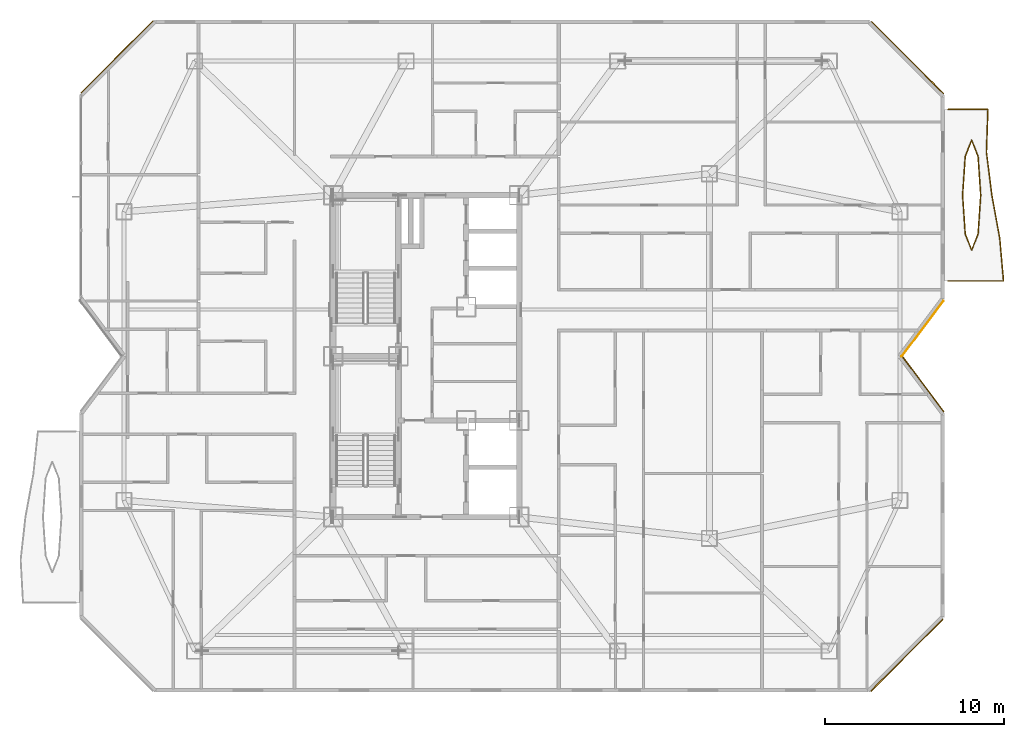
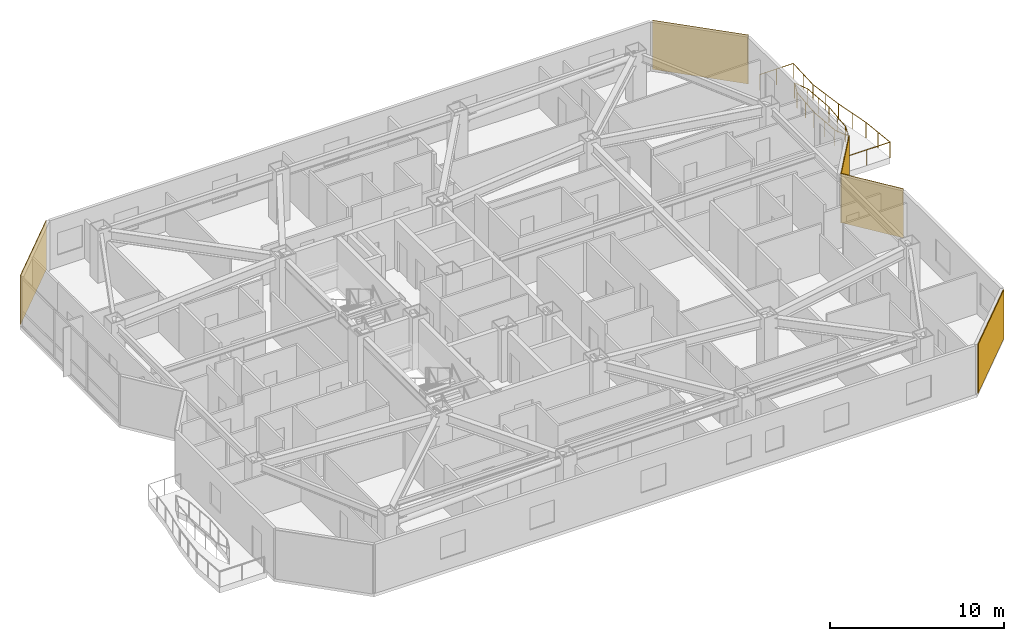
# One storey, part 18 of 18: 5 coverings, 4 railings.
"""IFC4 building model written with IfcOpenShell, lengths in metres."""

from ifc_helpers import new_model, si_unit, direction, frame, origin, origin_2d, place, context, subcontext, project, spatial, rectangle, circle, extrude, material, layer, layer_set, type_object, element, save


model = new_model("IFC4")

# Units and contexts
model_context = context("Model", 3, precision=1e-05, world=origin(), true_north=direction((0.0, 1.0)))
body_context = subcontext(model_context, "Body", "Model", "MODEL_VIEW")
ifc_project = project(units=[si_unit("LENGTHUNIT", "METRE"), si_unit("AREAUNIT", "SQUARE_METRE"), si_unit("VOLUMEUNIT", "CUBIC_METRE"), si_unit("PLANEANGLEUNIT", "RADIAN"), si_unit("MASSUNIT", "GRAM", prefix="KILO")], contexts=[model_context])

# Site, building, storey
site_placement = place(None, origin())
site = spatial("IfcSite", under=ifc_project, at=site_placement, CompositionType="ELEMENT")
building_placement = place(site_placement, origin())
building = spatial("IfcBuilding", under=site, at=building_placement, Name="Khamvora Tower", CompositionType="ELEMENT")
storey_placement = place(building_placement, frame((0.0, 0.0, 181.449951171875)))
storey = spatial("IfcBuildingStorey", under=building, at=storey_placement, Name="L46", CompositionType="ELEMENT", Elevation=181.449951171875)

# Coverings
ifc_material_1 = material(Name="Pale Anodised Aluminium Rainscreen Panel", Category="aluminium")
ifc_layer_1 = layer(ifc_material_1, 0.044921875)
ifc_layer_set_1 = layer_set([ifc_layer_1], Name="Pale Anodised Aluminium Rainscreen Panel")
covering_type_1 = type_object("IfcCoveringType", Name="COV-CLD-ALU", PredefinedType="CLADDING", material=ifc_layer_set_1)
covering_1_placement = place(storey_placement, frame((16.909912109375, 44.735107421875, 0.0), z_axis=(0.0, 0.0, 1.0), x_axis=(0.707106781187, 0.707106781187, 0.0)))
element("IfcCovering", 1, at=covering_1_placement, inside=storey, type_object=covering_type_1, Name="L46 chamfer rainscreen cladding 06.1", PredefinedType="CLADDING", context=body_context, shape_type="SweptSolid", body=[
    extrude(rectangle(XDim=5.693115234375, YDim=0.044921875, at=origin_2d()), origin(), (0.0, 0.0, 1.0), 3.429931640625),
])
covering_2_placement = place(storey_placement, frame((61.135009765625, 44.69091796875, 0.0), z_axis=(0.0, 0.0, 1.0), x_axis=(0.707106781187, -0.707106781187, 0.0)))
element("IfcCovering", 2, at=covering_2_placement, inside=storey, type_object=covering_type_1, Name="L46 chamfer rainscreen cladding 08.1", PredefinedType="CLADDING", context=body_context, shape_type="SweptSolid", body=[
    extrude(rectangle(XDim=5.694091796875, YDim=0.044921875, at=origin_2d()), origin(), (0.0, 0.0, 1.0), 3.429931640625),
])
covering_3_placement = place(storey_placement, frame((61.966064453125, 29.52490234375, 0.0), z_axis=(0.0, 0.0, 1.0), x_axis=(-0.600120318085, -0.799909747298, 0.0)))
element("IfcCovering", 3, at=covering_3_placement, inside=storey, type_object=covering_type_1, Name="L46 chamfer rainscreen cladding 10.1", PredefinedType="CLADDING", context=body_context, shape_type="SweptSolid", body=[
    extrude(rectangle(XDim=3.888916015625, YDim=0.044921875, at=origin_2d()), origin(), (0.0, 0.0, 1.0), 3.429931640625),
])
ifc_material_2 = material(Name="Anodised Bronze Aluminium Spandrel Panel", Category="aluminium")
ifc_layer_2 = layer(ifc_material_2, 0.054931640625)
ifc_layer_set_2 = layer_set([ifc_layer_2], Name="Anodised Bronze Aluminium Spandrel Panel")
covering_type_2 = type_object("IfcCoveringType", Name="COV-CLD-BRZ", PredefinedType="CLADDING", material=ifc_layer_set_2)
covering_4_placement = place(storey_placement, frame((62.008056640625, 26.419921875, 0.0), z_axis=(0.0, 0.0, 1.0), x_axis=(0.600000000002, -0.799999999998, 0.0)))
element("IfcCovering", 4, at=covering_4_placement, inside=storey, type_object=covering_type_2, Name="L46 chamfer rainscreen cladding 11.1", PredefinedType="CLADDING", context=body_context, shape_type="SweptSolid", body=[
    extrude(rectangle(XDim=3.85498046875, YDim=0.054931640625, at=origin_2d()), origin(), (0.0, 0.0, 1.0), 3.429931640625),
])
covering_5_placement = place(storey_placement, frame((61.091064453125, 11.26611328125, 0.0), z_axis=(0.0, 0.0, 1.0), x_axis=(-0.707106781187, -0.707106781187, 0.0)))
element("IfcCovering", 5, at=covering_5_placement, inside=storey, type_object=covering_type_2, Name="L46 chamfer rainscreen cladding 13.1", PredefinedType="CLADDING", context=body_context, shape_type="SweptSolid", body=[
    extrude(rectangle(XDim=5.695068359375, YDim=0.054931640625, at=origin_2d()), origin(), (0.0, 0.0, 1.0), 3.429931640625),
])

# Railings
ifc_material_3 = material(Name="Stainless Steel 316 and Laminated Glass", Category="steel")
railing_type = type_object("IfcRailingType", Name="RAL-GAL-1120", PredefinedType="GUARDRAIL", material=ifc_material_3)
railing_1_placement = place(storey_placement, frame((63.39990234375, 32.199951171875, 0.0)))
element("IfcRailing", 6, at=railing_1_placement, inside=storey, type_object=railing_type, Name="L46 lens gallery south perimeter guardrail EL2", PredefinedType="GUARDRAIL", context=body_context, shape_type="SweptSolid", body=[
    extrude(circle(Radius=0.02392578125, at=origin_2d()), frame((0.0, 0.0, 1.09619140625), z_axis=(1.0, 0.0, 0.0), x_axis=(0.0, 1.0, 0.0)), (0.0, 0.0, 1.0), 3.10009765625),
    extrude(circle(Radius=0.02392578125, at=origin_2d()), frame((3.10009765625, 0.0, 1.09619140625), z_axis=(-0.088352138364, 0.996089303048, 0.0), x_axis=(-0.996089303048, -0.088352138364, 0.0)), (0.0, 0.0, 1.0), 2.40966796875),
    extrude(circle(Radius=0.02392578125, at=origin_2d()), frame((2.88720703125, 2.400146484375, 1.09619140625), z_axis=(-0.180021284291, 0.983662715163, 0.0), x_axis=(-0.983662715163, -0.180021284291, 0.0)), (0.0, 0.0, 1.0), 2.439697265625),
    extrude(circle(Radius=0.02099609375, at=origin_2d()), origin(), (0.0, 0.0, 1.0), 1.072021484375),
    extrude(circle(Radius=0.02099609375, at=origin_2d()), frame((1.550048828125, 0.0, 0.0)), (0.0, 0.0, 1.0), 1.072021484375),
    extrude(circle(Radius=0.02099609375, at=origin_2d()), frame((3.10009765625, 0.0, 0.0)), (0.0, 0.0, 1.0), 1.072021484375),
    extrude(circle(Radius=0.02099609375, at=origin_2d()), frame((2.99365234375, 1.2001953125, 0.0)), (0.0, 0.0, 1.0), 1.072021484375),
    extrude(circle(Radius=0.02099609375, at=origin_2d()), frame((2.88720703125, 2.400146484375, 0.0)), (0.0, 0.0, 1.0), 1.072021484375),
    extrude(circle(Radius=0.02099609375, at=origin_2d()), frame((2.66748046875, 3.60009765625, 0.0)), (0.0, 0.0, 1.0), 1.072021484375),
    extrude(circle(Radius=0.02099609375, at=origin_2d()), frame((2.447998046875, 4.800048828125, 0.0)), (0.0, 0.0, 1.0), 1.072021484375),
])
railing_2_placement = place(storey_placement, frame((65.847900390625, 37.0, 0.0)))
element("IfcRailing", 7, at=railing_2_placement, inside=storey, type_object=railing_type, Name="L46 lens gallery north perimeter guardrail EL2", PredefinedType="GUARDRAIL", context=body_context, shape_type="SweptSolid", body=[
    extrude(circle(Radius=0.02392578125, at=origin_2d()), frame((0.0, 0.0, 1.09619140625), z_axis=(-0.12525199154, 0.99212496119, 0.0), x_axis=(-0.99212496119, -0.12525199154, 0.0)), (0.0, 0.0, 1.0), 2.4189453125),
    extrude(circle(Radius=0.02392578125, at=origin_2d()), frame((-0.302978515625, 2.39990234375, 1.09619140625), z_axis=(0.034157657363, 0.99941645696, 0.0), x_axis=(-0.99941645696, 0.034157657363, 0.0)), (0.0, 0.0, 1.0), 2.401611328125),
    extrude(circle(Radius=0.02392578125, at=origin_2d()), frame((-0.220947265625, 4.800048828125, 1.09619140625), z_axis=(-1.0, 0.0, 0.0), x_axis=(0.0, -1.0, 0.0)), (0.0, 0.0, 1.0), 2.22705078125),
    extrude(circle(Radius=0.02099609375, at=origin_2d()), origin(), (0.0, 0.0, 1.0), 1.072021484375),
    extrude(circle(Radius=0.02099609375, at=origin_2d()), frame((-0.1513671875, 1.199951171875, 0.0)), (0.0, 0.0, 1.0), 1.072021484375),
    extrude(circle(Radius=0.02099609375, at=origin_2d()), frame((-0.302978515625, 2.39990234375, 0.0)), (0.0, 0.0, 1.0), 1.072021484375),
    extrude(circle(Radius=0.02099609375, at=origin_2d()), frame((-0.261962890625, 3.60009765625, 0.0)), (0.0, 0.0, 1.0), 1.072021484375),
    extrude(circle(Radius=0.02099609375, at=origin_2d()), frame((-0.220947265625, 4.800048828125, 0.0)), (0.0, 0.0, 1.0), 1.072021484375),
    extrude(circle(Radius=0.02099609375, at=origin_2d()), frame((-1.33447265625, 4.800048828125, 0.0)), (0.0, 0.0, 1.0), 1.072021484375),
    extrude(circle(Radius=0.02099609375, at=origin_2d()), frame((-2.447998046875, 4.800048828125, 0.0)), (0.0, 0.0, 1.0), 1.072021484375),
])
railing_3_placement = place(storey_placement, frame((65.218994140625, 37.0, 0.0)))
element("IfcRailing", 8, at=railing_3_placement, inside=storey, type_object=railing_type, Name="L46 lens gallery void guardrail EL2A", PredefinedType="GUARDRAIL", context=body_context, shape_type="SweptSolid", body=[
    extrude(circle(Radius=0.02392578125, at=origin_2d()), frame((0.0, 0.0, 1.09619140625), z_axis=(-0.067955394668, 0.997688360329, 0.0), x_axis=(-0.997688360329, -0.067955394668, 0.0)), (0.0, 0.0, 1.0), 2.17724609375),
    extrude(circle(Radius=0.02392578125, at=origin_2d()), frame((-0.14794921875, 2.172119140625, 1.09619140625), z_axis=(-0.367821247872, 0.92989651554, 0.0), x_axis=(-0.92989651554, -0.367821247872, 0.0)), (0.0, 0.0, 1.0), 0.9677734375),
    extrude(circle(Radius=0.02392578125, at=origin_2d()), frame((-0.50390625, 3.072021484375, 1.09619140625), z_axis=(-0.368039364147, -0.929810209902, 0.0), x_axis=(0.929810209902, -0.368039364147, 0.0)), (0.0, 0.0, 1.0), 0.9677734375),
    extrude(circle(Radius=0.02392578125, at=origin_2d()), frame((-0.860107421875, 2.172119140625, 1.09619140625), z_axis=(-0.067955394668, -0.997688360329, 0.0), x_axis=(0.997688360329, -0.067955394668, 0.0)), (0.0, 0.0, 1.0), 2.17724609375),
    extrude(circle(Radius=0.02099609375, at=origin_2d()), origin(), (0.0, 0.0, 1.0), 1.072021484375),
    extrude(circle(Radius=0.02099609375, at=origin_2d()), frame((-0.073974609375, 1.0859375, 0.0)), (0.0, 0.0, 1.0), 1.072021484375),
    extrude(circle(Radius=0.02099609375, at=origin_2d()), frame((-0.14794921875, 2.172119140625, 0.0)), (0.0, 0.0, 1.0), 1.072021484375),
    extrude(circle(Radius=0.02099609375, at=origin_2d()), frame((-0.50390625, 3.072021484375, 0.0)), (0.0, 0.0, 1.0), 1.072021484375),
    extrude(circle(Radius=0.02099609375, at=origin_2d()), frame((-0.860107421875, 2.172119140625, 0.0)), (0.0, 0.0, 1.0), 1.072021484375),
    extrude(circle(Radius=0.02099609375, at=origin_2d()), frame((-0.93408203125, 1.0859375, 0.0)), (0.0, 0.0, 1.0), 1.072021484375),
    extrude(circle(Radius=0.02099609375, at=origin_2d()), frame((-1.008056640625, 0.0, 0.0)), (0.0, 0.0, 1.0), 1.072021484375),
])
railing_4_placement = place(storey_placement, frame((64.2109375, 37.0, 0.0)))
element("IfcRailing", 9, at=railing_4_placement, inside=storey, type_object=railing_type, Name="L46 lens gallery void guardrail EL2B", PredefinedType="GUARDRAIL", context=body_context, shape_type="SweptSolid", body=[
    extrude(circle(Radius=0.02392578125, at=origin_2d()), frame((0.0, 0.0, 1.09619140625), z_axis=(0.067955394668, -0.997688360329, 0.0), x_axis=(0.997688360329, 0.067955394668, 0.0)), (0.0, 0.0, 1.0), 2.17724609375),
    extrude(circle(Radius=0.02392578125, at=origin_2d()), frame((0.14794921875, -2.172119140625, 1.09619140625), z_axis=(0.368039364147, -0.929810209902, 0.0), x_axis=(0.929810209902, 0.368039364147, 0.0)), (0.0, 0.0, 1.0), 0.9677734375),
    extrude(circle(Radius=0.02392578125, at=origin_2d()), frame((0.504150390625, -3.072021484375, 1.09619140625), z_axis=(0.367821247872, 0.92989651554, 0.0), x_axis=(-0.92989651554, 0.367821247872, 0.0)), (0.0, 0.0, 1.0), 0.9677734375),
    extrude(circle(Radius=0.02392578125, at=origin_2d()), frame((0.860107421875, -2.172119140625, 1.09619140625), z_axis=(0.067955394668, 0.997688360329, 0.0), x_axis=(-0.997688360329, 0.067955394668, 0.0)), (0.0, 0.0, 1.0), 2.17724609375),
    extrude(circle(Radius=0.02099609375, at=origin_2d()), origin(), (0.0, 0.0, 1.0), 1.072021484375),
    extrude(circle(Radius=0.02099609375, at=origin_2d()), frame((0.073974609375, -1.0859375, 0.0)), (0.0, 0.0, 1.0), 1.072021484375),
    extrude(circle(Radius=0.02099609375, at=origin_2d()), frame((0.14794921875, -2.172119140625, 0.0)), (0.0, 0.0, 1.0), 1.072021484375),
    extrude(circle(Radius=0.02099609375, at=origin_2d()), frame((0.504150390625, -3.072021484375, 0.0)), (0.0, 0.0, 1.0), 1.072021484375),
    extrude(circle(Radius=0.02099609375, at=origin_2d()), frame((0.860107421875, -2.172119140625, 0.0)), (0.0, 0.0, 1.0), 1.072021484375),
    extrude(circle(Radius=0.02099609375, at=origin_2d()), frame((0.93408203125, -1.0859375, 0.0)), (0.0, 0.0, 1.0), 1.072021484375),
    extrude(circle(Radius=0.02099609375, at=origin_2d()), frame((1.008056640625, 0.0, 0.0)), (0.0, 0.0, 1.0), 1.072021484375),
])

save(model, "model.ifc")
